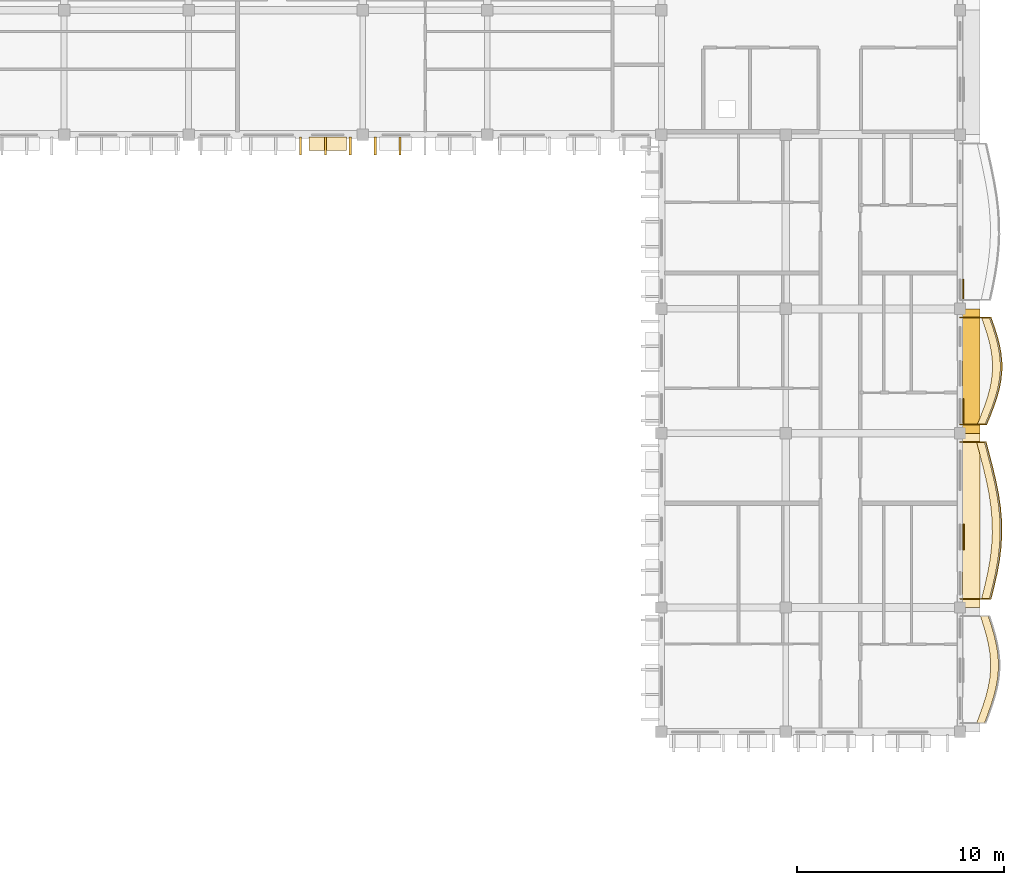
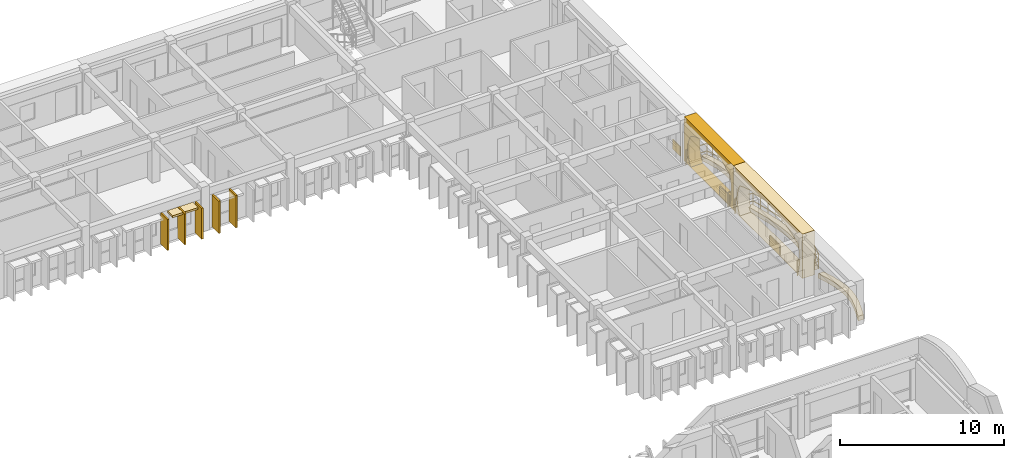
# One storey, part 56 of 59: 14 coverings, 2 railings.
"""IFC4 building model written with IfcOpenShell, lengths in metres."""

from ifc_helpers import new_model, si_unit, direction, frame, origin, origin_2d, place, context, subcontext, project, spatial, polyline, rectangle, outline, extrude, material, layer, layer_set, type_object, element, save


model = new_model("IFC4")

# Units and contexts
model_context = context("Model", 3, precision=1e-05, world=origin(), true_north=direction((0.0, 1.0)))
body_context = subcontext(model_context, "Body", "Model", "MODEL_VIEW")
ifc_project = project(units=[si_unit("LENGTHUNIT", "METRE"), si_unit("AREAUNIT", "SQUARE_METRE"), si_unit("VOLUMEUNIT", "CUBIC_METRE"), si_unit("PLANEANGLEUNIT", "RADIAN"), si_unit("MASSUNIT", "GRAM", prefix="KILO"), si_unit("THERMODYNAMICTEMPERATUREUNIT", "KELVIN")], contexts=[model_context])

# Site, building, storey
site_placement = place(None, origin())
site = spatial("IfcSite", under=ifc_project, at=site_placement, CompositionType="ELEMENT")
building_placement = place(site_placement, origin())
building = spatial("IfcBuilding", under=site, at=building_placement, Name="Thalorik Housing Commons", CompositionType="ELEMENT")
storey_placement = place(building_placement, frame((0.0, 0.0, 27.89990234375)))
storey = spatial("IfcBuildingStorey", under=building, at=storey_placement, Name="L08", CompositionType="ELEMENT", Elevation=27.89990234375)

# Coverings
ifc_material_1 = material(Name="Cobalt blue glazed ceramic facade tile panel", Category="masonry")
ifc_layer_1 = layer(ifc_material_1, 0.06005859375, Name="Cobalt blue glazed ceramic facade tile panel", Category="masonry")
ifc_layer_set_1 = layer_set([ifc_layer_1], Name="Cobalt blue glazed ceramic facade tile panel")
covering_type_1 = type_object("IfcCoveringType", Name="ARC-CLD-BLU-60", PredefinedType="CLADDING", material=ifc_layer_set_1)
covering_1_placement = place(storey_placement, frame((166.95751953125, 101.760009765625, 0.05029296875), z_axis=(0.0, 0.0, 1.0), x_axis=(0.0, 1.0, 0.0)))
element("IfcCovering", 1, at=covering_1_placement, inside=storey, type_object=covering_type_1, Name="L08 De Stijl Recessed Window Spandrel 2887", PredefinedType="CLADDING", context=body_context, shape_type="SweptSolid", body=[
    extrude(rectangle(XDim=0.949951171875, YDim=0.06005859375, at=origin_2d()), origin(), (0.0, 0.0, 1.0), 0.699951171875),
])
ifc_material_2 = material(Name="Precast concrete C40/50", Category="concrete")
ifc_layer_2 = layer(ifc_material_2, 0.85009765625, Name="Precast concrete C40/50", Category="concrete")
ifc_layer_set_2 = layer_set([ifc_layer_2], Name="Precast concrete C40/50")
covering_type_2 = type_object("IfcCoveringType", Name="ARC-CLD-CUSH-850", PredefinedType="CLADDING", material=ifc_layer_set_2)
covering_2_placement = place(storey_placement, frame((167.347412109375, 90.60009765625, 0.0), z_axis=(0.0, 0.0, 1.0), x_axis=(0.0, 1.0, 0.0)))
element("IfcCovering", 2, at=covering_2_placement, inside=storey, type_object=covering_type_2, Name="L08 White Precast Curved Cushion Bay Frame 2882", PredefinedType="CLADDING", context=body_context, shape_type="SweptSolid", body=[
    extrude(outline(polyline([(-4.199951171875, 0.0), (4.199951171875, 0.0), (4.199951171875, 3.300048828125), (-4.199951171875, 3.300048828125), (-4.199951171875, 0.0)]), holes=[polyline([(3.429931640625, 0.02490234375), (3.60791015625, 0.3974609375), (3.71435546875, 0.77001953125), (3.75, 1.142578125), (3.71435546875, 1.514892578125), (3.60791015625, 1.887451171875), (3.429931640625, 2.260009765625), (2.841796875, 2.497314453125), (2.25341796875, 2.683837890625), (1.6650390625, 2.8349609375), (1.07666015625, 2.947265625), (0.48828125, 3.0166015625), (-0.10009765625, 3.0400390625), (-0.688232421875, 3.0166015625), (-1.276611328125, 2.947265625), (-1.864990234375, 2.8349609375), (-2.453369140625, 2.683837890625), (-3.041748046875, 2.497314453125), (-3.6298828125, 2.260009765625), (-3.750244140625, 1.887451171875), (-3.822509765625, 1.514892578125), (-3.8466796875, 1.142578125), (-3.822509765625, 0.77001953125), (-3.750244140625, 0.3974609375), (-3.6298828125, 0.02490234375), (3.429931640625, 0.02490234375)])]), frame((0.0, 0.425048828125, 0.0), z_axis=(0.0, -1.0, 0.0), x_axis=(1.0, 0.0, 0.0)), (0.0, 0.0, 1.0), 0.85009765625),
])
covering_3_placement = place(storey_placement, frame((167.347412109375, 97.800048828125, 0.0), z_axis=(0.0, 0.0, 1.0), x_axis=(0.0, 1.0, 0.0)))
element("IfcCovering", 3, at=covering_3_placement, inside=storey, type_object=covering_type_2, Name="L08 White Precast Curved Cushion Bay Frame 2884", PredefinedType="CLADDING", context=body_context, shape_type="SweptSolid", body=[
    extrude(outline(polyline([(-3.0, 0.0), (3.0, 0.0), (3.0, 3.300048828125), (-3.0, 3.300048828125), (-3.0, 0.0)]), holes=[polyline([(2.198974609375, 0.02490234375), (2.39404296875, 0.407470703125), (2.510986328125, 0.7900390625), (2.550048828125, 1.172607421875), (2.510986328125, 1.554931640625), (2.39404296875, 1.9375), (2.198974609375, 2.320068359375), (1.801025390625, 2.539306640625), (1.4033203125, 2.711181640625), (1.005126953125, 2.8505859375), (0.607421875, 2.954345703125), (0.20947265625, 3.018310546875), (-0.1884765625, 3.0400390625), (-0.58642578125, 3.018310546875), (-0.984375, 2.954345703125), (-1.382080078125, 2.8505859375), (-1.7802734375, 2.711181640625), (-2.177978515625, 2.539306640625), (-2.575927734375, 2.320068359375), (-2.66552734375, 1.9375), (-2.71923828125, 1.554931640625), (-2.737060546875, 1.172607421875), (-2.71923828125, 0.7900390625), (-2.66552734375, 0.407470703125), (-2.575927734375, 0.02490234375), (2.198974609375, 0.02490234375)])]), frame((0.0, 0.425048828125, 0.0), z_axis=(0.0, -1.0, 0.0), x_axis=(1.0, 0.0, 0.0)), (0.0, 0.0, 1.0), 0.85009765625),
])
ifc_layer_3 = layer(ifc_material_2, 0.85009765625, Name="Precast concrete C40/50", Category="concrete")
ifc_layer_set_3 = layer_set([ifc_layer_3], Name="Precast concrete C40/50")
covering_type_3 = type_object("IfcCoveringType", Name="ARC-CLD-FIN-850", PredefinedType="CLADDING", material=ifc_layer_set_3)
for number, where, z_axis, x_axis, name in (
    (4, (135.0, 108.652587890625, 0.0400390625), (0.0, 0.0, 1.0), (1.0, 0.0, 0.0), "L08 Courtyard Precast Vertical Brise-Soleil Fin 2806"),
    (5, (136.199951171875, 108.652587890625, 0.0400390625), (0.0, 0.0, 1.0), (1.0, 0.0, 0.0), "L08 Courtyard Precast Vertical Brise-Soleil Fin 2807"),
    (6, (137.39990234375, 108.652587890625, 0.0400390625), (0.0, 0.0, 1.0), (1.0, 0.0, 0.0), "L08 Courtyard Precast Vertical Brise-Soleil Fin 2808"),
):
    element("IfcCovering", number, at=place(storey_placement, frame(where, z_axis=z_axis, x_axis=x_axis)), inside=storey, type_object=covering_type_3, Name=name, PredefinedType="CLADDING", context=body_context, shape_type="SweptSolid", body=[
        extrude(rectangle(XDim=0.110107421875, YDim=0.85009765625, at=origin_2d()), origin(), (0.0, 0.0, 1.0), 2.294921875),
    ])
for number, where, z_axis, x_axis, name in (
    (7, (138.60009765625, 108.652587890625, 0.0400390625), (0.0, 0.0, 1.0), (1.0, 0.0, 0.0), "L08 Courtyard Precast Vertical Brise-Soleil Fin 2812"),
    (8, (139.800048828125, 108.652587890625, 0.0400390625), (0.0, 0.0, 1.0), (1.0, 0.0, 0.0), "L08 Courtyard Precast Vertical Brise-Soleil Fin 2813"),
):
    element("IfcCovering", number, at=place(storey_placement, frame(where, z_axis=z_axis, x_axis=x_axis)), inside=storey, type_object=covering_type_3, Name=name, PredefinedType="CLADDING", context=body_context, shape_type="SweptSolid", body=[
        extrude(rectangle(XDim=0.110107421875, YDim=0.85009765625, at=origin_2d()), origin(), (0.0, 0.0, 1.0), 2.39501953125),
    ])
ifc_layer_4 = layer(ifc_material_2, 0.64990234375, Name="Precast concrete C40/50", Category="concrete")
ifc_layer_set_4 = layer_set([ifc_layer_4], Name="Precast concrete C40/50")
covering_type_4 = type_object("IfcCoveringType", Name="ARC-CLD-HOOD-650", PredefinedType="CLADDING", material=ifc_layer_set_4)
covering_4_placement = place(storey_placement, frame((136.3125, 108.75244140625, 2.18994140625), z_axis=(0.0, 0.0, 1.0), x_axis=(1.0, 0.0, 0.0)))
element("IfcCovering", 9, at=covering_4_placement, inside=storey, type_object=covering_type_4, Name="L08 Courtyard Precast Window Sun-Hood 2811", PredefinedType="CLADDING", context=body_context, shape_type="SweptSolid", body=[
    extrude(rectangle(XDim=1.7900390625, YDim=0.64990234375, at=origin_2d()), origin(), (0.0, 0.0, 1.0), 0.139892578125),
])
ifc_material_3 = material(Name="Terracotta red mineral fibre-cement panel", Category="masonry")
ifc_layer_5 = layer(ifc_material_3, 0.054931640625, Name="Terracotta red mineral fibre-cement panel", Category="masonry")
ifc_layer_set_5 = layer_set([ifc_layer_5], Name="Terracotta red mineral fibre-cement panel")
covering_type_5 = type_object("IfcCoveringType", Name="ARC-CLD-RED-55", PredefinedType="CLADDING", material=ifc_layer_set_5)
covering_5_placement = place(storey_placement, frame((166.955078125, 95.8740234375, 0.05029296875), z_axis=(0.0, 0.0, 1.0), x_axis=(0.0, 1.0, 0.0)))
element("IfcCovering", 10, at=covering_5_placement, inside=storey, type_object=covering_type_5, Name="L08 De Stijl Recessed Window Spandrel 2885", PredefinedType="CLADDING", context=body_context, shape_type="SweptSolid", body=[
    extrude(rectangle(XDim=1.199951171875, YDim=0.054931640625, at=origin_2d()), origin(), (0.0, 0.0, 1.0), 0.699951171875),
])
ifc_material_4 = material(Name="Mineral ochre architectural terracotta panel", Category="masonry")
ifc_layer_6 = layer(ifc_material_4, 0.06494140625, Name="Mineral ochre architectural terracotta panel", Category="masonry")
ifc_layer_set_6 = layer_set([ifc_layer_6], Name="Mineral ochre architectural terracotta panel")
covering_type_6 = type_object("IfcCoveringType", Name="ARC-CLD-YEL-65", PredefinedType="CLADDING", material=ifc_layer_set_6)
covering_6_placement = place(storey_placement, frame((166.9599609375, 89.800048828125, 0.05029296875), z_axis=(0.0, 0.0, 1.0), x_axis=(0.0, 1.0, 0.0)))
element("IfcCovering", 11, at=covering_6_placement, inside=storey, type_object=covering_type_6, Name="L08 De Stijl Recessed Window Spandrel 2883", PredefinedType="CLADDING", context=body_context, shape_type="SweptSolid", body=[
    extrude(rectangle(XDim=1.25, YDim=0.06494140625, at=origin_2d()), origin(), (0.0, 0.0, 1.0), 0.699951171875),
])
ifc_material_5 = material(Name="Planted vegetated substrate and terracotta trough", Category="masonry")
ifc_layer_7 = layer(ifc_material_5, 0.340087890625, Name="Planted vegetated substrate and terracotta trough", Category="masonry")
ifc_layer_set_7 = layer_set([ifc_layer_7], Name="Planted vegetated substrate and terracotta trough")
covering_type_7 = type_object("IfcCoveringType", Name="ARC-COV-PLANTER", PredefinedType="USERDEFINED", material=ifc_layer_set_7)
covering_7_placement = place(storey_placement, origin())
element("IfcCovering", 12, at=covering_7_placement, inside=storey, type_object=covering_type_7, Name="L08 Balcony Slab-Edge Planted Trough 5522", ObjectType="PLANTER", PredefinedType="USERDEFINED", context=body_context, shape_type="SweptSolid", body=[
    extrude(outline(polyline([(167.98046875, 80.820068359375), (168.13916015625, 81.25), (168.291259765625, 81.679931640625), (168.426513671875, 82.110107421875), (168.535888671875, 82.5400390625), (168.612548828125, 82.969970703125), (168.651611328125, 83.39990234375), (168.65087890625, 83.830078125), (168.611328125, 84.260009765625), (168.536376953125, 84.68994140625), (168.431884765625, 85.1201171875), (168.305419921875, 85.550048828125), (168.16650390625, 85.97998046875), (167.786376953125, 85.97998046875), (167.92529296875, 85.550048828125), (168.0517578125, 85.1201171875), (168.156494140625, 84.68994140625), (168.2314453125, 84.260009765625), (168.27099609375, 83.830078125), (168.271484375, 83.39990234375), (168.232421875, 82.969970703125), (168.156005859375, 82.5400390625), (168.04638671875, 82.110107421875), (167.9111328125, 81.679931640625), (167.759033203125, 81.25), (167.600341796875, 80.820068359375), (167.98046875, 80.820068359375)])), origin(), (0.0, 0.0, 1.0), 0.340087890625),
])
covering_8_placement = place(storey_placement, origin())
element("IfcCovering", 13, at=covering_8_placement, inside=storey, type_object=covering_type_7, Name="L08 Balcony Slab-Edge Planted Trough 5523", ObjectType="PLANTER", PredefinedType="USERDEFINED", context=body_context, shape_type="SweptSolid", body=[
    extrude(outline(polyline([(168.21533203125, 86.820068359375), (168.376220703125, 87.449951171875), (168.51708984375, 88.080078125), (168.62890625, 88.7099609375), (168.703857421875, 89.340087890625), (168.737060546875, 89.969970703125), (168.7265625, 90.60009765625), (168.673095703125, 91.22998046875), (168.58056640625, 91.860107421875), (168.455810546875, 92.489990234375), (168.306884765625, 93.1201171875), (168.144775390625, 93.75), (167.980224609375, 94.3798828125), (167.60009765625, 94.3798828125), (167.7646484375, 93.75), (167.927001953125, 93.1201171875), (168.07568359375, 92.489990234375), (168.20068359375, 91.860107421875), (168.293212890625, 91.22998046875), (168.346435546875, 90.60009765625), (168.357177734375, 89.969970703125), (168.323974609375, 89.340087890625), (168.248779296875, 88.7099609375), (168.13720703125, 88.080078125), (167.99609375, 87.449951171875), (167.83544921875, 86.820068359375), (168.21533203125, 86.820068359375)])), origin(), (0.0, 0.0, 1.0), 0.340087890625),
])
covering_9_placement = place(storey_placement, origin())
element("IfcCovering", 14, at=covering_9_placement, inside=storey, type_object=covering_type_7, Name="L08 Balcony Slab-Edge Planted Trough 5524", ObjectType="PLANTER", PredefinedType="USERDEFINED", context=body_context, shape_type="SweptSolid", body=[
    extrude(outline(polyline([(168.008544921875, 95.219970703125), (168.182861328125, 95.64990234375), (168.34912109375, 96.080078125), (168.49658203125, 96.510009765625), (168.615478515625, 96.93994140625), (168.698974609375, 97.3701171875), (168.74169921875, 97.800048828125), (168.74169921875, 98.22998046875), (168.69970703125, 98.659912109375), (168.619140625, 99.090087890625), (168.505859375, 99.52001953125), (168.368408203125, 99.949951171875), (168.216064453125, 100.3798828125), (167.8359375, 100.3798828125), (167.98828125, 99.949951171875), (168.1259765625, 99.52001953125), (168.239013671875, 99.090087890625), (168.31982421875, 98.659912109375), (168.36181640625, 98.22998046875), (168.36181640625, 97.800048828125), (168.319091796875, 97.3701171875), (168.235595703125, 96.93994140625), (168.116455078125, 96.510009765625), (167.968994140625, 96.080078125), (167.802978515625, 95.64990234375), (167.62841796875, 95.219970703125), (168.008544921875, 95.219970703125)])), origin(), (0.0, 0.0, 1.0), 0.340087890625),
])

# Railings
ifc_material_6 = material(Name="Steel S355", Category="steel")
railing_type_1 = type_object("IfcRailingType", Name="ARC-RL-BAL-112", PredefinedType="BALUSTRADE", material=ifc_material_6)
railing_1_placement = place(storey_placement, frame((166.800048828125, 95.219970703125, 0.0)))
element("IfcRailing", 15, at=railing_1_placement, inside=storey, type_object=railing_type_1, Name="L08 Cushion Balcony Guardrail 208", PredefinedType="BALUSTRADE", context=body_context, shape_type="SweptSolid", body=[
    extrude(rectangle(XDim=0.050048828125, YDim=0.050048828125, at=origin_2d()), frame((0.0, 0.0, 1.09521484375), z_axis=(1.0, 0.0, 0.0), x_axis=(0.0, 1.0, 0.0)), (0.0, 0.0, 1.0), 1.278564453125),
    extrude(rectangle(XDim=0.050048828125, YDim=0.050048828125, at=origin_2d()), frame((0.0, 0.0, 0.53515625), z_axis=(1.0, 0.0, 0.0), x_axis=(0.0, 1.0, 0.0)), (0.0, 0.0, 1.0), 1.278564453125),
    extrude(rectangle(XDim=0.050048828125, YDim=0.050048828125, at=origin_2d()), frame((1.278564453125, 0.0, 1.09521484375), z_axis=(0.375741754389, 0.926724411035, 0.0), x_axis=(-0.926724411035, 0.375741754389, 0.0)), (0.0, 0.0, 1.0), 0.4638671875),
    extrude(rectangle(XDim=0.050048828125, YDim=0.050048828125, at=origin_2d()), frame((1.278564453125, 0.0, 0.53515625), z_axis=(0.375741754389, 0.926724411035, 0.0), x_axis=(-0.926724411035, 0.375741754389, 0.0)), (0.0, 0.0, 1.0), 0.4638671875),
    extrude(rectangle(XDim=0.050048828125, YDim=0.050048828125, at=origin_2d()), frame((1.452880859375, 0.429931640625, 1.09521484375), z_axis=(0.360503962206, 0.932757681948, 0.0), x_axis=(-0.932757681948, 0.360503962206, 0.0)), (0.0, 0.0, 1.0), 0.461181640625),
    extrude(rectangle(XDim=0.050048828125, YDim=0.050048828125, at=origin_2d()), frame((1.452880859375, 0.429931640625, 0.53515625), z_axis=(0.360503962206, 0.932757681948, 0.0), x_axis=(-0.932757681948, 0.360503962206, 0.0)), (0.0, 0.0, 1.0), 0.461181640625),
    extrude(rectangle(XDim=0.050048828125, YDim=0.050048828125, at=origin_2d()), frame((1.619140625, 0.860107421875, 1.09521484375), z_axis=(0.323953453347, 0.946073020472, 0.0), x_axis=(-0.946073020472, 0.323953453347, 0.0)), (0.0, 0.0, 1.0), 0.454345703125),
    extrude(rectangle(XDim=0.050048828125, YDim=0.050048828125, at=origin_2d()), frame((1.619140625, 0.860107421875, 0.53515625), z_axis=(0.323953453347, 0.946073020472, 0.0), x_axis=(-0.946073020472, 0.323953453347, 0.0)), (0.0, 0.0, 1.0), 0.454345703125),
    extrude(rectangle(XDim=0.050048828125, YDim=0.050048828125, at=origin_2d()), frame((1.766357421875, 1.2900390625, 1.09521484375), z_axis=(0.267051104954, 0.963682368492, 0.0), x_axis=(-0.963682368492, 0.267051104954, 0.0)), (0.0, 0.0, 1.0), 0.446044921875),
    extrude(rectangle(XDim=0.050048828125, YDim=0.050048828125, at=origin_2d()), frame((1.766357421875, 1.2900390625, 0.53515625), z_axis=(0.267051104954, 0.963682368492, 0.0), x_axis=(-0.963682368492, 0.267051104954, 0.0)), (0.0, 0.0, 1.0), 0.446044921875),
    extrude(rectangle(XDim=0.050048828125, YDim=0.050048828125, at=origin_2d()), frame((1.885498046875, 1.719970703125, 1.09521484375), z_axis=(0.190541578419, 0.981679126239, 0.0), x_axis=(-0.981679126239, 0.190541578419, 0.0)), (0.0, 0.0, 1.0), 0.438232421875),
    extrude(rectangle(XDim=0.050048828125, YDim=0.050048828125, at=origin_2d()), frame((1.885498046875, 1.719970703125, 0.53515625), z_axis=(0.190541578419, 0.981679126239, 0.0), x_axis=(-0.981679126239, 0.190541578419, 0.0)), (0.0, 0.0, 1.0), 0.438232421875),
    extrude(rectangle(XDim=0.050048828125, YDim=0.050048828125, at=origin_2d()), frame((1.968994140625, 2.150146484375, 1.09521484375), z_axis=(0.098888270863, 0.995098542801, 0.0), x_axis=(-0.995098542801, 0.098888270863, 0.0)), (0.0, 0.0, 1.0), 0.43212890625),
    extrude(rectangle(XDim=0.050048828125, YDim=0.050048828125, at=origin_2d()), frame((1.968994140625, 2.150146484375, 0.53515625), z_axis=(0.098888270863, 0.995098542801, 0.0), x_axis=(-0.995098542801, 0.098888270863, 0.0)), (0.0, 0.0, 1.0), 0.43212890625),
    extrude(rectangle(XDim=0.050048828125, YDim=0.050048828125, at=origin_2d()), frame((2.01171875, 2.580078125, 1.09521484375), z_axis=(0.0, 1.0, 0.0), x_axis=(-1.0, 0.0, 0.0)), (0.0, 0.0, 1.0), 0.429931640625),
    extrude(rectangle(XDim=0.050048828125, YDim=0.050048828125, at=origin_2d()), frame((2.01171875, 2.580078125, 0.53515625), z_axis=(0.0, 1.0, 0.0), x_axis=(-1.0, 0.0, 0.0)), (0.0, 0.0, 1.0), 0.429931640625),
    extrude(rectangle(XDim=0.050048828125, YDim=0.050048828125, at=origin_2d()), frame((2.01171875, 3.010009765625, 1.09521484375), z_axis=(-0.097209200993, 0.995263970634, 0.0), x_axis=(-0.995263970634, -0.097209200993, 0.0)), (0.0, 0.0, 1.0), 0.431884765625),
    extrude(rectangle(XDim=0.050048828125, YDim=0.050048828125, at=origin_2d()), frame((2.01171875, 3.010009765625, 0.53515625), z_axis=(-0.097209200993, 0.995263970634, 0.0), x_axis=(-0.995263970634, -0.097209200993, 0.0)), (0.0, 0.0, 1.0), 0.431884765625),
    extrude(rectangle(XDim=0.050048828125, YDim=0.050048828125, at=origin_2d()), frame((1.9697265625, 3.43994140625, 1.09521484375), z_axis=(-0.184086446548, 0.982910057023, 0.0), x_axis=(-0.982910057023, -0.184086446548, 0.0)), (0.0, 0.0, 1.0), 0.437744140625),
    extrude(rectangle(XDim=0.050048828125, YDim=0.050048828125, at=origin_2d()), frame((1.9697265625, 3.43994140625, 0.53515625), z_axis=(-0.184086446548, 0.982910057023, 0.0), x_axis=(-0.982910057023, -0.184086446548, 0.0)), (0.0, 0.0, 1.0), 0.437744140625),
    extrude(rectangle(XDim=0.050048828125, YDim=0.050048828125, at=origin_2d()), frame((1.88916015625, 3.8701171875, 1.09521484375), z_axis=(-0.254790607451, 0.9669962494, 0.0), x_axis=(-0.9669962494, -0.254790607451, 0.0)), (0.0, 0.0, 1.0), 0.444580078125),
    extrude(rectangle(XDim=0.050048828125, YDim=0.050048828125, at=origin_2d()), frame((1.88916015625, 3.8701171875, 0.53515625), z_axis=(-0.254790607451, 0.9669962494, 0.0), x_axis=(-0.9669962494, -0.254790607451, 0.0)), (0.0, 0.0, 1.0), 0.444580078125),
    extrude(rectangle(XDim=0.050048828125, YDim=0.050048828125, at=origin_2d()), frame((1.77587890625, 4.300048828125, 1.09521484375), z_axis=(-0.305011189479, 0.95234876715, 0.0), x_axis=(-0.95234876715, -0.305011189479, 0.0)), (0.0, 0.0, 1.0), 0.451416015625),
    extrude(rectangle(XDim=0.050048828125, YDim=0.050048828125, at=origin_2d()), frame((1.77587890625, 4.300048828125, 0.53515625), z_axis=(-0.305011189479, 0.95234876715, 0.0), x_axis=(-0.95234876715, -0.305011189479, 0.0)), (0.0, 0.0, 1.0), 0.451416015625),
    extrude(rectangle(XDim=0.050048828125, YDim=0.050048828125, at=origin_2d()), frame((1.63818359375, 4.72998046875, 1.09521484375), z_axis=(-0.333995761205, 0.942574576093, 0.0), x_axis=(-0.942574576093, -0.333995761205, 0.0)), (0.0, 0.0, 1.0), 0.4560546875),
    extrude(rectangle(XDim=0.050048828125, YDim=0.050048828125, at=origin_2d()), frame((1.63818359375, 4.72998046875, 0.53515625), z_axis=(-0.333995761205, 0.942574576093, 0.0), x_axis=(-0.942574576093, -0.333995761205, 0.0)), (0.0, 0.0, 1.0), 0.4560546875),
    extrude(rectangle(XDim=0.050048828125, YDim=0.050048828125, at=origin_2d()), frame((1.48583984375, 5.159912109375, 1.09521484375), z_axis=(-1.0, 0.0, 0.0), x_axis=(0.0, -1.0, 0.0)), (0.0, 0.0, 1.0), 1.48583984375),
    extrude(rectangle(XDim=0.050048828125, YDim=0.050048828125, at=origin_2d()), frame((1.48583984375, 5.159912109375, 0.53515625), z_axis=(-1.0, 0.0, 0.0), x_axis=(0.0, -1.0, 0.0)), (0.0, 0.0, 1.0), 1.48583984375),
    extrude(rectangle(XDim=0.0419921875, YDim=0.0419921875, at=origin_2d()), origin(), (0.0, 0.0, 1.0), 1.070068359375),
    extrude(rectangle(XDim=0.0419921875, YDim=0.0419921875, at=origin_2d()), frame((1.278564453125, 0.0, 0.0)), (0.0, 0.0, 1.0), 1.070068359375),
    extrude(rectangle(XDim=0.0419921875, YDim=0.0419921875, at=origin_2d()), frame((1.452880859375, 0.429931640625, 0.0)), (0.0, 0.0, 1.0), 1.070068359375),
    extrude(rectangle(XDim=0.0419921875, YDim=0.0419921875, at=origin_2d()), frame((1.619140625, 0.860107421875, 0.0)), (0.0, 0.0, 1.0), 1.070068359375),
    extrude(rectangle(XDim=0.0419921875, YDim=0.0419921875, at=origin_2d()), frame((1.766357421875, 1.2900390625, 0.0)), (0.0, 0.0, 1.0), 1.070068359375),
    extrude(rectangle(XDim=0.0419921875, YDim=0.0419921875, at=origin_2d()), frame((1.885498046875, 1.719970703125, 0.0)), (0.0, 0.0, 1.0), 1.070068359375),
    extrude(rectangle(XDim=0.0419921875, YDim=0.0419921875, at=origin_2d()), frame((1.968994140625, 2.150146484375, 0.0)), (0.0, 0.0, 1.0), 1.070068359375),
    extrude(rectangle(XDim=0.0419921875, YDim=0.0419921875, at=origin_2d()), frame((2.01171875, 2.580078125, 0.0)), (0.0, 0.0, 1.0), 1.070068359375),
    extrude(rectangle(XDim=0.0419921875, YDim=0.0419921875, at=origin_2d()), frame((2.01171875, 3.010009765625, 0.0)), (0.0, 0.0, 1.0), 1.070068359375),
    extrude(rectangle(XDim=0.0419921875, YDim=0.0419921875, at=origin_2d()), frame((1.9697265625, 3.43994140625, 0.0)), (0.0, 0.0, 1.0), 1.070068359375),
    extrude(rectangle(XDim=0.0419921875, YDim=0.0419921875, at=origin_2d()), frame((1.88916015625, 3.8701171875, 0.0)), (0.0, 0.0, 1.0), 1.070068359375),
    extrude(rectangle(XDim=0.0419921875, YDim=0.0419921875, at=origin_2d()), frame((1.77587890625, 4.300048828125, 0.0)), (0.0, 0.0, 1.0), 1.070068359375),
    extrude(rectangle(XDim=0.0419921875, YDim=0.0419921875, at=origin_2d()), frame((1.63818359375, 4.72998046875, 0.0)), (0.0, 0.0, 1.0), 1.070068359375),
    extrude(rectangle(XDim=0.0419921875, YDim=0.0419921875, at=origin_2d()), frame((1.48583984375, 5.159912109375, 0.0)), (0.0, 0.0, 1.0), 1.070068359375),
    extrude(rectangle(XDim=0.0419921875, YDim=0.0419921875, at=origin_2d()), frame((0.0, 5.159912109375, 0.0)), (0.0, 0.0, 1.0), 1.070068359375),
])
railing_type_2 = type_object("IfcRailingType", Name="ARC-RL-BAL-115", PredefinedType="BALUSTRADE", material=ifc_material_6)
railing_2_placement = place(storey_placement, frame((166.800048828125, 86.820068359375, 0.0)))
element("IfcRailing", 16, at=railing_2_placement, inside=storey, type_object=railing_type_2, Name="L08 Cushion Balcony Guardrail 207", PredefinedType="BALUSTRADE", context=body_context, shape_type="SweptSolid", body=[
    extrude(rectangle(XDim=0.050048828125, YDim=0.050048828125, at=origin_2d()), frame((0.0, 0.0, 1.125), z_axis=(1.0, 0.0, 0.0), x_axis=(0.0, 1.0, 0.0)), (0.0, 0.0, 1.0), 1.4853515625),
    extrude(rectangle(XDim=0.050048828125, YDim=0.050048828125, at=origin_2d()), frame((0.0, 0.0, 0.5498046875), z_axis=(1.0, 0.0, 0.0), x_axis=(0.0, 1.0, 0.0)), (0.0, 0.0, 1.0), 1.4853515625),
    extrude(rectangle(XDim=0.050048828125, YDim=0.050048828125, at=origin_2d()), frame((1.4853515625, 0.0, 1.125), z_axis=(0.247128171494, 0.968982800082, 0.0), x_axis=(-0.968982800082, 0.247128171494, 0.0)), (0.0, 0.0, 1.0), 0.650146484375),
    extrude(rectangle(XDim=0.050048828125, YDim=0.050048828125, at=origin_2d()), frame((1.4853515625, 0.0, 0.5498046875), z_axis=(0.247128171494, 0.968982800082, 0.0), x_axis=(-0.968982800082, 0.247128171494, 0.0)), (0.0, 0.0, 1.0), 0.650146484375),
    extrude(rectangle(XDim=0.050048828125, YDim=0.050048828125, at=origin_2d()), frame((1.64599609375, 0.6298828125, 1.125), z_axis=(0.218531454868, 0.975829904867, 0.0), x_axis=(-0.975829904867, 0.218531454868, 0.0)), (0.0, 0.0, 1.0), 0.645751953125),
    extrude(rectangle(XDim=0.050048828125, YDim=0.050048828125, at=origin_2d()), frame((1.64599609375, 0.6298828125, 0.5498046875), z_axis=(0.218531454868, 0.975829904867, 0.0), x_axis=(-0.975829904867, 0.218531454868, 0.0)), (0.0, 0.0, 1.0), 0.645751953125),
    extrude(rectangle(XDim=0.050048828125, YDim=0.050048828125, at=origin_2d()), frame((1.787109375, 1.260009765625, 1.125), z_axis=(0.174786703576, 0.984606321457, 0.0), x_axis=(-0.984606321457, 0.174786703576, 0.0)), (0.0, 0.0, 1.0), 0.6396484375),
    extrude(rectangle(XDim=0.050048828125, YDim=0.050048828125, at=origin_2d()), frame((1.787109375, 1.260009765625, 0.5498046875), z_axis=(0.174786703576, 0.984606321457, 0.0), x_axis=(-0.984606321457, 0.174786703576, 0.0)), (0.0, 0.0, 1.0), 0.6396484375),
    extrude(rectangle(XDim=0.050048828125, YDim=0.050048828125, at=origin_2d()), frame((1.89892578125, 1.889892578125, 1.125), z_axis=(0.118113533463, 0.993000097287, 0.0), x_axis=(-0.993000097287, 0.118113533463, 0.0)), (0.0, 0.0, 1.0), 0.634521484375),
    extrude(rectangle(XDim=0.050048828125, YDim=0.050048828125, at=origin_2d()), frame((1.89892578125, 1.889892578125, 0.5498046875), z_axis=(0.118113533463, 0.993000097287, 0.0), x_axis=(-0.993000097287, 0.118113533463, 0.0)), (0.0, 0.0, 1.0), 0.634521484375),
    extrude(rectangle(XDim=0.050048828125, YDim=0.050048828125, at=origin_2d()), frame((1.973876953125, 2.52001953125, 1.125), z_axis=(0.052640094062, 0.998613549126, 0.0), x_axis=(-0.998613549126, 0.052640094062, 0.0)), (0.0, 0.0, 1.0), 0.630859375),
    extrude(rectangle(XDim=0.050048828125, YDim=0.050048828125, at=origin_2d()), frame((1.973876953125, 2.52001953125, 0.5498046875), z_axis=(0.052640094062, 0.998613549126, 0.0), x_axis=(-0.998613549126, 0.052640094062, 0.0)), (0.0, 0.0, 1.0), 0.630859375),
    extrude(rectangle(XDim=0.050048828125, YDim=0.050048828125, at=origin_2d()), frame((2.007080078125, 3.14990234375, 1.125), z_axis=(-0.01704517927, 0.999854720379, 0.0), x_axis=(-0.999854720379, -0.01704517927, 0.0)), (0.0, 0.0, 1.0), 0.630126953125),
    extrude(rectangle(XDim=0.050048828125, YDim=0.050048828125, at=origin_2d()), frame((2.007080078125, 3.14990234375, 0.5498046875), z_axis=(-0.01704517927, 0.999854720379, 0.0), x_axis=(-0.999854720379, -0.01704517927, 0.0)), (0.0, 0.0, 1.0), 0.630126953125),
    extrude(rectangle(XDim=0.050048828125, YDim=0.050048828125, at=origin_2d()), frame((1.996337890625, 3.780029296875, 1.125), z_axis=(-0.084196095588, 0.99644920467, 0.0), x_axis=(-0.99644920467, -0.084196095588, 0.0)), (0.0, 0.0, 1.0), 0.632080078125),
    extrude(rectangle(XDim=0.050048828125, YDim=0.050048828125, at=origin_2d()), frame((1.996337890625, 3.780029296875, 0.5498046875), z_axis=(-0.084196095588, 0.99644920467, 0.0), x_axis=(-0.99644920467, -0.084196095588, 0.0)), (0.0, 0.0, 1.0), 0.632080078125),
    extrude(rectangle(XDim=0.050048828125, YDim=0.050048828125, at=origin_2d()), frame((1.943115234375, 4.409912109375, 1.125), z_axis=(-0.145284304764, 0.989389948801, 0.0), x_axis=(-0.989389948801, -0.145284304764, 0.0)), (0.0, 0.0, 1.0), 0.636962890625),
    extrude(rectangle(XDim=0.050048828125, YDim=0.050048828125, at=origin_2d()), frame((1.943115234375, 4.409912109375, 0.5498046875), z_axis=(-0.145284304764, 0.989389948801, 0.0), x_axis=(-0.989389948801, -0.145284304764, 0.0)), (0.0, 0.0, 1.0), 0.636962890625),
    extrude(rectangle(XDim=0.050048828125, YDim=0.050048828125, at=origin_2d()), frame((1.8505859375, 5.0400390625, 1.125), z_axis=(-0.194653674939, 0.980872033872, 0.0), x_axis=(-0.980872033872, -0.194653674939, 0.0)), (0.0, 0.0, 1.0), 0.64208984375),
    extrude(rectangle(XDim=0.050048828125, YDim=0.050048828125, at=origin_2d()), frame((1.8505859375, 5.0400390625, 0.5498046875), z_axis=(-0.194653674939, 0.980872033872, 0.0), x_axis=(-0.980872033872, -0.194653674939, 0.0)), (0.0, 0.0, 1.0), 0.64208984375),
    extrude(rectangle(XDim=0.050048828125, YDim=0.050048828125, at=origin_2d()), frame((1.7255859375, 5.669921875, 1.125), z_axis=(-0.2296488173, 0.973273559033, 0.0), x_axis=(-0.973273559033, -0.2296488173, 0.0)), (0.0, 0.0, 1.0), 0.6474609375),
    extrude(rectangle(XDim=0.050048828125, YDim=0.050048828125, at=origin_2d()), frame((1.7255859375, 5.669921875, 0.5498046875), z_axis=(-0.2296488173, 0.973273559033, 0.0), x_axis=(-0.973273559033, -0.2296488173, 0.0)), (0.0, 0.0, 1.0), 0.6474609375),
    extrude(rectangle(XDim=0.050048828125, YDim=0.050048828125, at=origin_2d()), frame((1.576904296875, 6.300048828125, 1.125), z_axis=(-0.249594222451, 0.968350517178, 0.0), x_axis=(-0.968350517178, -0.249594222451, 0.0)), (0.0, 0.0, 1.0), 0.650390625),
    extrude(rectangle(XDim=0.050048828125, YDim=0.050048828125, at=origin_2d()), frame((1.576904296875, 6.300048828125, 0.5498046875), z_axis=(-0.249594222451, 0.968350517178, 0.0), x_axis=(-0.968350517178, -0.249594222451, 0.0)), (0.0, 0.0, 1.0), 0.650390625),
    extrude(rectangle(XDim=0.050048828125, YDim=0.050048828125, at=origin_2d()), frame((1.41455078125, 6.929931640625, 1.125), z_axis=(-0.252406629716, 0.967621255076, 0.0), x_axis=(-0.967621255076, -0.252406629716, 0.0)), (0.0, 0.0, 1.0), 0.65087890625),
    extrude(rectangle(XDim=0.050048828125, YDim=0.050048828125, at=origin_2d()), frame((1.41455078125, 6.929931640625, 0.5498046875), z_axis=(-0.252406629716, 0.967621255076, 0.0), x_axis=(-0.967621255076, -0.252406629716, 0.0)), (0.0, 0.0, 1.0), 0.65087890625),
    extrude(rectangle(XDim=0.050048828125, YDim=0.050048828125, at=origin_2d()), frame((1.250244140625, 7.559814453125, 1.125), z_axis=(-1.0, 0.0, 0.0), x_axis=(0.0, -1.0, 0.0)), (0.0, 0.0, 1.0), 1.250244140625),
    extrude(rectangle(XDim=0.050048828125, YDim=0.050048828125, at=origin_2d()), frame((1.250244140625, 7.559814453125, 0.5498046875), z_axis=(-1.0, 0.0, 0.0), x_axis=(0.0, -1.0, 0.0)), (0.0, 0.0, 1.0), 1.250244140625),
    extrude(rectangle(XDim=0.0419921875, YDim=0.0419921875, at=origin_2d()), origin(), (0.0, 0.0, 1.0), 1.099853515625),
    extrude(rectangle(XDim=0.0419921875, YDim=0.0419921875, at=origin_2d()), frame((1.4853515625, 0.0, 0.0)), (0.0, 0.0, 1.0), 1.099853515625),
    extrude(rectangle(XDim=0.0419921875, YDim=0.0419921875, at=origin_2d()), frame((1.64599609375, 0.6298828125, 0.0)), (0.0, 0.0, 1.0), 1.099853515625),
    extrude(rectangle(XDim=0.0419921875, YDim=0.0419921875, at=origin_2d()), frame((1.787109375, 1.260009765625, 0.0)), (0.0, 0.0, 1.0), 1.099853515625),
    extrude(rectangle(XDim=0.0419921875, YDim=0.0419921875, at=origin_2d()), frame((1.89892578125, 1.889892578125, 0.0)), (0.0, 0.0, 1.0), 1.099853515625),
    extrude(rectangle(XDim=0.0419921875, YDim=0.0419921875, at=origin_2d()), frame((1.973876953125, 2.52001953125, 0.0)), (0.0, 0.0, 1.0), 1.099853515625),
    extrude(rectangle(XDim=0.0419921875, YDim=0.0419921875, at=origin_2d()), frame((2.007080078125, 3.14990234375, 0.0)), (0.0, 0.0, 1.0), 1.099853515625),
    extrude(rectangle(XDim=0.0419921875, YDim=0.0419921875, at=origin_2d()), frame((1.996337890625, 3.780029296875, 0.0)), (0.0, 0.0, 1.0), 1.099853515625),
    extrude(rectangle(XDim=0.0419921875, YDim=0.0419921875, at=origin_2d()), frame((1.943115234375, 4.409912109375, 0.0)), (0.0, 0.0, 1.0), 1.099853515625),
    extrude(rectangle(XDim=0.0419921875, YDim=0.0419921875, at=origin_2d()), frame((1.8505859375, 5.0400390625, 0.0)), (0.0, 0.0, 1.0), 1.099853515625),
    extrude(rectangle(XDim=0.0419921875, YDim=0.0419921875, at=origin_2d()), frame((1.7255859375, 5.669921875, 0.0)), (0.0, 0.0, 1.0), 1.099853515625),
    extrude(rectangle(XDim=0.0419921875, YDim=0.0419921875, at=origin_2d()), frame((1.576904296875, 6.300048828125, 0.0)), (0.0, 0.0, 1.0), 1.099853515625),
    extrude(rectangle(XDim=0.0419921875, YDim=0.0419921875, at=origin_2d()), frame((1.41455078125, 6.929931640625, 0.0)), (0.0, 0.0, 1.0), 1.099853515625),
    extrude(rectangle(XDim=0.0419921875, YDim=0.0419921875, at=origin_2d()), frame((1.250244140625, 7.559814453125, 0.0)), (0.0, 0.0, 1.0), 1.099853515625),
    extrude(rectangle(XDim=0.0419921875, YDim=0.0419921875, at=origin_2d()), frame((0.0, 7.559814453125, 0.0)), (0.0, 0.0, 1.0), 1.099853515625),
])

save(model, "model.ifc")
